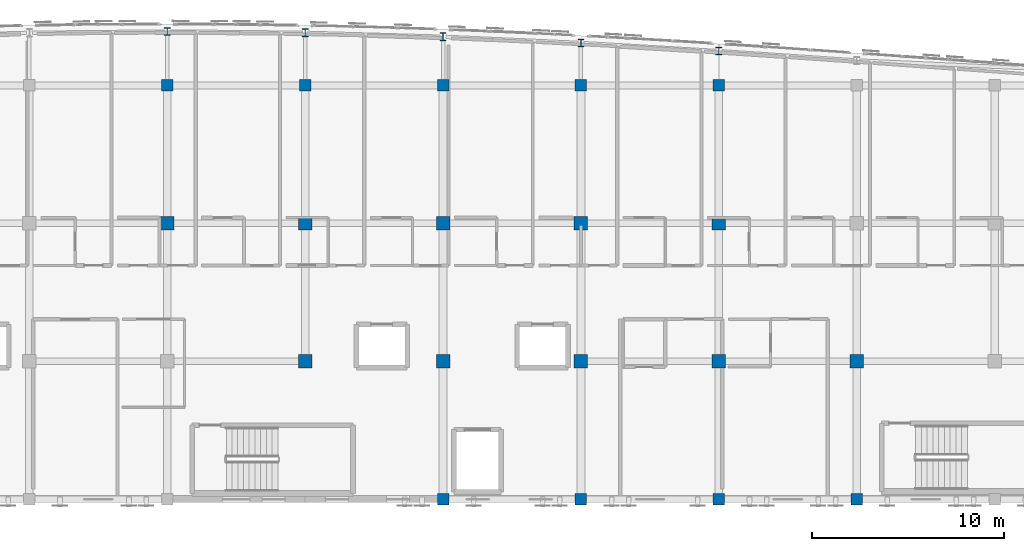
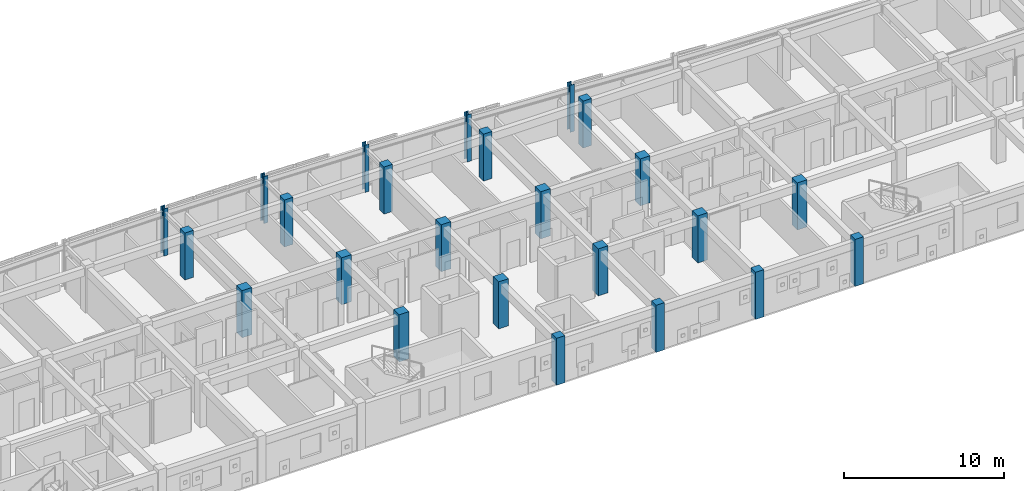
# One storey, part 3 of 48: 24 columns.
"""IFC4 building model written with IfcOpenShell, lengths in metres."""

from ifc_helpers import new_model, si_unit, direction, frame, origin, origin_2d, place, context, subcontext, project, spatial, rectangle, i_section, extrude, material, material_profile, profile_set, type_object, element, save


model = new_model("IFC4")

# Units and contexts
model_context = context("Model", 3, precision=1e-05, world=origin(), true_north=direction((0.0, 1.0)))
body_context = subcontext(model_context, "Body", "Model", "MODEL_VIEW")
ifc_project = project(units=[si_unit("LENGTHUNIT", "METRE"), si_unit("AREAUNIT", "SQUARE_METRE"), si_unit("VOLUMEUNIT", "CUBIC_METRE"), si_unit("PLANEANGLEUNIT", "RADIAN"), si_unit("MASSUNIT", "GRAM", prefix="KILO")], contexts=[model_context])

# Site, building, storey
site_placement = place(None, origin())
site = spatial("IfcSite", under=ifc_project, at=site_placement, CompositionType="ELEMENT")
building_placement = place(site_placement, origin())
building = spatial("IfcBuilding", under=site, at=building_placement, Name="Carrowvane Square Congress Hotel", CompositionType="ELEMENT")
storey_placement = place(building_placement, frame((0.0, 0.0, 26.39990234375)))
storey = spatial("IfcBuildingStorey", under=building, at=storey_placement, Name="L06", CompositionType="ELEMENT", Elevation=26.39990234375)

# Columns
ifc_material_1 = material(Name="Concrete C40/50", Category="concrete")
ifc_material_profile_1 = material_profile(ifc_material_1, rectangle(XDim=0.60009765625, YDim=0.60009765625, at=origin_2d()), Name="RC 600x600")
ifc_profile_set_1 = profile_set([ifc_material_profile_1], Name="Concrete C40/50")
column_type_1 = type_object("IfcColumnType", Name="COL-RC-600", PredefinedType="COLUMN", material=ifc_profile_set_1)
for number, where, z_axis, x_axis, name in (
    (1, (98.0, 113.39990234375, 0.0), (0.0, 0.0, 1.0), (1.0, 0.0, 0.0), "L06 column 13/R"),
    (2, (105.199951171875, 113.39990234375, 0.0), (0.0, 0.0, 1.0), (1.0, 0.0, 0.0), "L06 column 14/R"),
    (3, (112.39990234375, 91.800048828125, 0.0), (0.0, 0.0, 1.0), (1.0, 0.0, 0.0), "L06 column 15/N"),
    (4, (112.39990234375, 113.39990234375, 0.0), (0.0, 0.0, 1.0), (1.0, 0.0, 0.0), "L06 column 15/R"),
    (5, (119.60009765625, 91.800048828125, 0.0), (0.0, 0.0, 1.0), (1.0, 0.0, 0.0), "L06 column 16/N"),
    (6, (119.60009765625, 113.39990234375, 0.0), (0.0, 0.0, 1.0), (1.0, 0.0, 0.0), "L06 column 16/R"),
    (7, (126.800048828125, 91.800048828125, 0.0), (0.0, 0.0, 1.0), (1.0, 0.0, 0.0), "L06 column 17/N"),
    (8, (126.800048828125, 113.39990234375, 0.0), (0.0, 0.0, 1.0), (1.0, 0.0, 0.0), "L06 column 17/R"),
    (9, (134.0, 91.800048828125, 0.0), (0.0, 0.0, 1.0), (1.0, 0.0, 0.0), "L06 column 18/N"),
):
    element("IfcColumn", number, at=place(storey_placement, frame(where, z_axis=z_axis, x_axis=x_axis)), inside=storey, type_object=column_type_1, Name=name, PredefinedType="COLUMN", context=body_context, shape_type="SweptSolid", body=[
        extrude(rectangle(XDim=0.60009765625, YDim=0.60009765625, at=origin_2d()), origin(), (0.0, 0.0, 1.0), 3.60009765625),
    ])
ifc_material_2 = material(Name="Concrete C40/50", Category="concrete")
ifc_material_profile_2 = material_profile(ifc_material_2, rectangle(XDim=0.699951171875, YDim=0.699951171875, at=origin_2d()), Name="RC 700x700")
ifc_profile_set_2 = profile_set([ifc_material_profile_2], Name="Concrete C40/50")
column_type_2 = type_object("IfcColumnType", Name="COL-RC-700", PredefinedType="COLUMN", material=ifc_profile_set_2)
for number, where, z_axis, x_axis, name in (
    (10, (98.0, 106.199951171875, 0.0), (0.0, 0.0, 1.0), (1.0, 0.0, 0.0), "L06 column 13/Q"),
    (11, (105.199951171875, 99.0, 0.0), (0.0, 0.0, 1.0), (1.0, 0.0, 0.0), "L06 column 14/P"),
    (12, (105.199951171875, 106.199951171875, 0.0), (0.0, 0.0, 1.0), (1.0, 0.0, 0.0), "L06 column 14/Q"),
    (13, (112.39990234375, 99.0, 0.0), (0.0, 0.0, 1.0), (1.0, 0.0, 0.0), "L06 column 15/P"),
    (14, (112.39990234375, 106.199951171875, 0.0), (0.0, 0.0, 1.0), (1.0, 0.0, 0.0), "L06 column 15/Q"),
    (15, (119.60009765625, 99.0, 0.0), (0.0, 0.0, 1.0), (1.0, 0.0, 0.0), "L06 column 16/P"),
    (16, (119.60009765625, 106.199951171875, 0.0), (0.0, 0.0, 1.0), (1.0, 0.0, 0.0), "L06 column 16/Q"),
    (17, (126.800048828125, 99.0, 0.0), (0.0, 0.0, 1.0), (1.0, 0.0, 0.0), "L06 column 17/P"),
    (18, (126.800048828125, 106.199951171875, 0.0), (0.0, 0.0, 1.0), (1.0, 0.0, 0.0), "L06 column 17/Q"),
    (19, (134.0, 99.0, 0.0), (0.0, 0.0, 1.0), (1.0, 0.0, 0.0), "L06 column 18/P"),
):
    element("IfcColumn", number, at=place(storey_placement, frame(where, z_axis=z_axis, x_axis=x_axis)), inside=storey, type_object=column_type_2, Name=name, PredefinedType="COLUMN", context=body_context, shape_type="SweptSolid", body=[
        extrude(rectangle(XDim=0.699951171875, YDim=0.699951171875, at=origin_2d()), origin(), (0.0, 0.0, 1.0), 3.60009765625),
    ])
ifc_material_3 = material(Name="Steel S355", Category="steel")
ifc_material_profile_3 = material_profile(ifc_material_3, i_section(OverallWidth=0.300048828125, OverallDepth=0.39990234375, WebThickness=0.013427734375, FlangeThickness=0.02392578125, FilletRadius=0.027099609375, at=origin_2d()), Name="HEB 400")
ifc_profile_set_3 = profile_set([ifc_material_profile_3], Name="Steel S355")
column_type_3 = type_object("IfcColumnType", Name="COL-ST-HEB400", PredefinedType="COLUMN", material=ifc_profile_set_3)
for number, where, z_axis, x_axis, name in (
    (20, (98.0, 116.219970703125, 0.0), (0.0, 0.0, 1.0), (1.0, 0.0, 0.0), "L06 column 13/ARC"),
    (21, (105.199951171875, 116.14990234375, 0.0), (0.0, 0.0, 1.0), (1.0, 0.0, 0.0), "L06 column 14/ARC"),
    (22, (112.39990234375, 115.944091796875, 0.0), (0.0, 0.0, 1.0), (1.0, 0.0, 0.0), "L06 column 15/ARC"),
    (23, (119.60009765625, 115.61767578125, 0.0), (0.0, 0.0, 1.0), (1.0, 0.0, 0.0), "L06 column 16/ARC"),
    (24, (126.800048828125, 115.1943359375, 0.0), (0.0, 0.0, 1.0), (1.0, 0.0, 0.0), "L06 column 17/ARC"),
):
    element("IfcColumn", number, at=place(storey_placement, frame(where, z_axis=z_axis, x_axis=x_axis)), inside=storey, type_object=column_type_3, Name=name, PredefinedType="COLUMN", context=body_context, shape_type="SweptSolid", body=[
        extrude(i_section(OverallWidth=0.300048828125, OverallDepth=0.39990234375, WebThickness=0.013427734375, FlangeThickness=0.02392578125, FilletRadius=0.027099609375, at=origin_2d()), origin(), (0.0, 0.0, 1.0), 3.60009765625),
    ])

save(model, "model.ifc")
